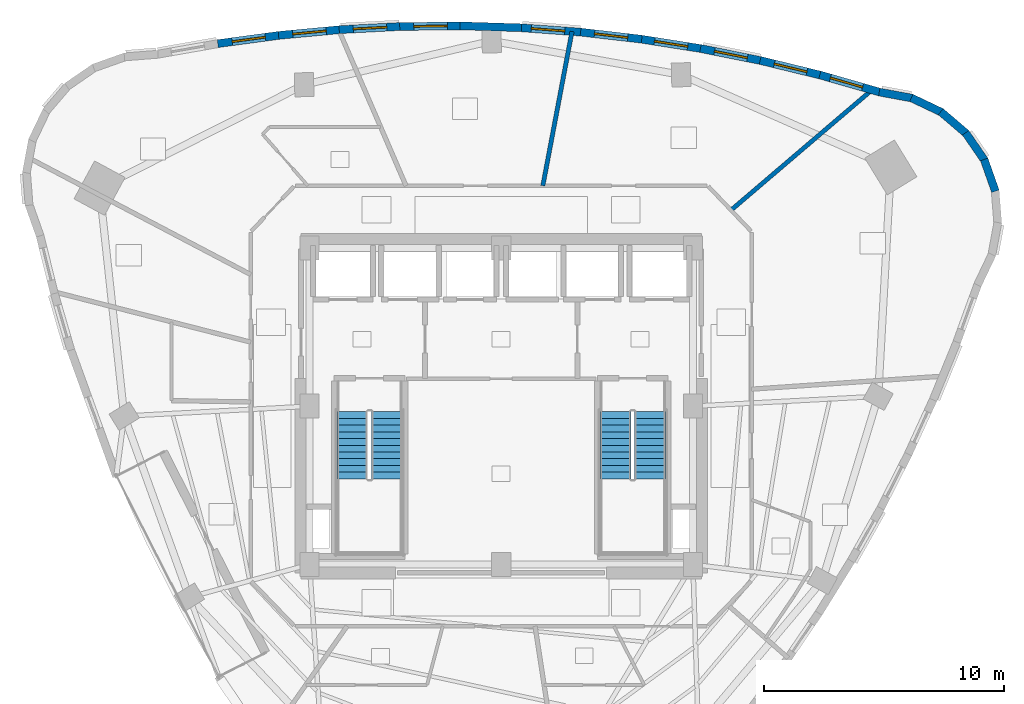
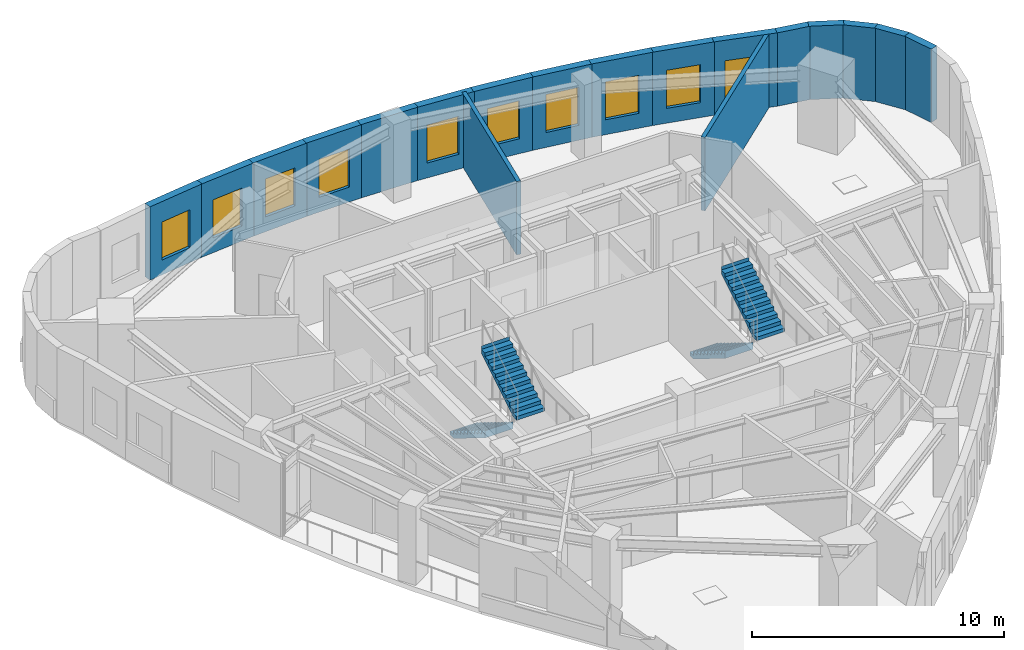
# One storey, part 9 of 12: 18 walls, 10 windows, 4 stair flights, 10 openings, 2 elements without a shape of their own.
"""IFC4 building model written with IfcOpenShell, lengths in metres."""

from ifc_helpers import new_model, si_unit, direction, frame, frame_2d, origin, place, context, subcontext, project, spatial, polyline, rectangle, outline, extrude, material, layer, layer_set, type_object, element, fill, aggregate, save


model = new_model("IFC4")

# Units and contexts
model_context = context("Model", 3, precision=1e-05, world=origin(), true_north=direction((0.0, 1.0)))
body_context = subcontext(model_context, "Body", "Model", "MODEL_VIEW")
ifc_project = project(units=[si_unit("LENGTHUNIT", "METRE"), si_unit("AREAUNIT", "SQUARE_METRE"), si_unit("VOLUMEUNIT", "CUBIC_METRE"), si_unit("PLANEANGLEUNIT", "RADIAN"), si_unit("MASSUNIT", "GRAM", prefix="KILO")], contexts=[model_context])

# Site, building, storey
site_placement = place(None, origin())
site = spatial("IfcSite", under=ifc_project, at=site_placement, CompositionType="ELEMENT")
building_placement = place(site_placement, origin())
building = spatial("IfcBuilding", under=site, at=building_placement, Name="Ndelora Gate Hotel", CompositionType="ELEMENT")
storey_placement = place(building_placement, frame((0.0, 0.0, 201.75)))
storey = spatial("IfcBuildingStorey", under=building, at=storey_placement, Name="L50", CompositionType="ELEMENT", Elevation=201.75)

# Walls
ifc_material_1 = material(Name="Acoustic Double-Stud Gypsum Assembly", Category="gypsum")
ifc_layer_1 = layer(ifc_material_1, 0.179931640625)
ifc_layer_set_1 = layer_set([ifc_layer_1], Name="Acoustic Double-Stud Gypsum Assembly")
wall_type_1 = type_object("IfcWallType", Name="WL-ACOUST-180", PredefinedType="PARTITIONING", material=ifc_layer_set_1)
wall_1_placement = place(storey_placement, frame((9.591064453125, 8.18115234375, 0.0), z_axis=(0.0, 0.0, 1.0), x_axis=(0.760812400489, 0.648971872474, 0.0)))
element("IfcWall", 1, at=wall_1_placement, inside=storey, type_object=wall_type_1, Name="L50 Interior Wall IW-3", PredefinedType="PARTITIONING", context=body_context, shape_type="SweptSolid", body=[
    extrude(rectangle(XDim=7.73193359375, YDim=0.179931640625, at=frame_2d((3.865966796875, 0.0))), origin(), (0.0, 0.0, 1.0), 3.550048828125),
])
wall_2_placement = place(storey_placement, frame((1.73876953125, 9.199951171875, 0.0), z_axis=(0.0, 0.0, 1.0), x_axis=(0.185690346743, 0.98260831216, 0.0)))
element("IfcWall", 2, at=wall_2_placement, inside=storey, type_object=wall_type_1, Name="L50 Interior Wall IW-3", PredefinedType="PARTITIONING", context=body_context, shape_type="SweptSolid", body=[
    extrude(rectangle(XDim=6.55029296875, YDim=0.179931640625, at=frame_2d((3.275146484375, 0.0))), origin(), (0.0, 0.0, 1.0), 3.550048828125),
])
ifc_material_2 = material(Name="Clay Brick Masonry", Category="masonry")
ifc_layer_2 = layer(ifc_material_2, 0.330078125)
ifc_layer_set_2 = layer_set([ifc_layer_2], Name="Clay Brick Masonry")
wall_type_2 = type_object("IfcWallType", Name="WL-BRICK-330", PredefinedType="SOLIDWALL", material=ifc_layer_set_2)
wall_3_placement = place(storey_placement, frame((20.153564453125, 10.296630859375, 0.0), z_axis=(0.0, 0.0, 1.0), x_axis=(0.333709077945, -0.942676111555, 0.0)))
element("IfcWall", 3, at=wall_3_placement, inside=storey, type_object=wall_type_2, Name="L50 Tower Brick Pier-and-Spandrel Wall TWR-42", PredefinedType="SOLIDWALL", context=body_context, shape_type="SweptSolid", body=[
    extrude(rectangle(XDim=1.40771484375, YDim=0.330078125, at=frame_2d((0.703857421875, 0.0))), origin(), (0.0, 0.0, 1.0), 3.550048828125),
])
for number, where, z_axis, x_axis, name in (
    (4, (19.37890625, 11.412353515625, 0.0), (0.0, 0.0, 1.0), (0.566374209812, -0.824148199331, 0.0), "L50 Tower Brick Pier-and-Spandrel Wall TWR-43"),
    (5, (18.341796875, 12.28955078125, 0.0), (0.0, 0.0, 1.0), (0.760430782952, -0.64941898982, 0.0), "L50 Tower Brick Pier-and-Spandrel Wall TWR-44"),
    (6, (17.113037109375, 12.86865234375, 0.0), (0.0, 0.0, 1.0), (0.902565310806, -0.430552969714, 0.0), "L50 Tower Brick Pier-and-Spandrel Wall TWR-45"),
):
    element("IfcWall", number, at=place(storey_placement, frame(where, z_axis=z_axis, x_axis=x_axis)), inside=storey, type_object=wall_type_2, Name=name, PredefinedType="SOLIDWALL", context=body_context, shape_type="SweptSolid", body=[
        extrude(rectangle(XDim=1.407470703125, YDim=0.330078125, at=frame_2d((0.70361328125, 0.0))), origin(), (0.0, 0.0, 1.0), 3.550048828125),
    ])
wall_4_placement = place(storey_placement, frame((15.7763671875, 13.109619140625, 0.0), z_axis=(0.0, 0.0, 1.0), x_axis=(0.983270499209, -0.182151380411, 0.0)))
element("IfcWall", 7, at=wall_4_placement, inside=storey, type_object=wall_type_2, Name="L50 Tower Brick Pier-and-Spandrel Wall TWR-46", PredefinedType="SOLIDWALL", context=body_context, shape_type="SweptSolid", body=[
    extrude(rectangle(XDim=1.4072265625, YDim=0.330078125, at=frame_2d((0.70361328125, 0.0))), origin(), (0.0, 0.0, 1.0), 3.550048828125),
])

# Wall, opening, window
wall_5_placement = place(storey_placement, frame((13.295166015625, 13.823486328125, 0.0), z_axis=(0.0, 0.0, 1.0), x_axis=(0.961267980462, -0.275615438135, 0.0)))
wall_5 = element("IfcWall", 8, at=wall_5_placement, inside=storey, type_object=wall_type_2, Name="L50 Tower Brick Pier-and-Spandrel Wall TWR-47", PredefinedType="SOLIDWALL", context=body_context, shape_type="SweptSolid", body=[
    extrude(rectangle(XDim=2.6318359375, YDim=0.330078125, at=frame_2d((1.31591796875, 0.0))), origin(), (0.0, 0.0, 1.0), 3.550048828125),
])
opening_1_placement = place(wall_5_placement, frame((0.4599609375, 0.0, 0.719970703125)))
opening_1 = element("IfcOpeningElement", 9, at=opening_1_placement, cuts=wall_5, Name="Opening W02", PredefinedType="OPENING", context=body_context, shape_type="SweptSolid", body=[
    extrude(rectangle(XDim=1.39990234375, YDim=1.840087890625, at=frame_2d((0.699951171875, 0.919921875))), frame((0.0, 0.175048828125, 0.0), z_axis=(0.0, -1.0, 0.0), x_axis=(1.0, 0.0, 0.0)), (0.0, 0.0, 1.0), 0.35009765625),
])
ifc_material_3 = material(Name="Insulated Low-E Double Glazing in Bronze Aluminium Frame", Category="aluminium")
window_type = type_object("IfcWindowType", Name="WN-DEEP-1400", PartitioningType="SINGLE_PANEL", PredefinedType="WINDOW", material=ifc_material_3)
window_1_placement = place(opening_1_placement, origin())
window_1 = element("IfcWindow", 10, at=window_1_placement, inside=storey, type_object=window_type, Name="L50 Deep-Set Brick-Pier Window W02", OverallHeight=1.840087890625, OverallWidth=1.39990234375, PartitioningType="SINGLE_PANEL", PredefinedType="WINDOW", context=body_context, shape_type="SweptSolid", body=[
    extrude(rectangle(XDim=1.39990234375, YDim=1.840087890625, at=frame_2d((0.699951171875, 0.919921875))), frame((0.0, 0.030029296875, 0.0), z_axis=(0.0, -1.0, 0.0), x_axis=(1.0, 0.0, 0.0)), (0.0, 0.0, 1.0), 0.06005859375),
])
fill(opening_1, window_1)

wall_6_placement = place(storey_placement, frame((10.8076171875, 14.428466796875, 0.0), z_axis=(0.0, 0.0, 1.0), x_axis=(0.971593821021, -0.236654699835, 0.0)))
wall_6 = element("IfcWall", 11, at=wall_6_placement, inside=storey, type_object=wall_type_2, Name="L50 Tower Brick Pier-and-Spandrel Wall TWR-48", PredefinedType="SOLIDWALL", context=body_context, shape_type="SweptSolid", body=[
    extrude(rectangle(XDim=2.610107421875, YDim=0.330078125, at=frame_2d((1.30517578125, 0.0))), origin(), (0.0, 0.0, 1.0), 3.550048828125),
])
opening_2_placement = place(wall_6_placement, frame((0.60498046875, 0.0, 0.719970703125)))
opening_2 = element("IfcOpeningElement", 12, at=opening_2_placement, cuts=wall_6, Name="Opening W02", PredefinedType="OPENING", context=body_context, shape_type="SweptSolid", body=[
    extrude(rectangle(XDim=1.39990234375, YDim=1.840087890625, at=frame_2d((0.699951171875, 0.919921875))), frame((0.0, 0.175048828125, 0.0), z_axis=(0.0, -1.0, 0.0), x_axis=(1.0, 0.0, 0.0)), (0.0, 0.0, 1.0), 0.35009765625),
])
window_2_placement = place(opening_2_placement, origin())
window_2 = element("IfcWindow", 13, at=window_2_placement, inside=storey, type_object=window_type, Name="L50 Deep-Set Brick-Pier Window W02", OverallHeight=1.840087890625, OverallWidth=1.39990234375, PartitioningType="SINGLE_PANEL", PredefinedType="WINDOW", context=body_context, shape_type="SweptSolid", body=[
    extrude(rectangle(XDim=1.39990234375, YDim=1.840087890625, at=frame_2d((0.699951171875, 0.919921875))), frame((0.0, 0.030029296875, 0.0), z_axis=(0.0, -1.0, 0.0), x_axis=(1.0, 0.0, 0.0)), (0.0, 0.0, 1.0), 0.06005859375),
])
fill(opening_2, window_2)

wall_7_placement = place(storey_placement, frame((8.314697265625, 14.927978515625, 0.0), z_axis=(0.0, 0.0, 1.0), x_axis=(0.980439161236, -0.196822384688, 0.0)))
wall_7 = element("IfcWall", 14, at=wall_7_placement, inside=storey, type_object=wall_type_2, Name="L50 Tower Brick Pier-and-Spandrel Wall TWR-49", PredefinedType="SOLIDWALL", context=body_context, shape_type="SweptSolid", body=[
    extrude(rectangle(XDim=2.592529296875, YDim=0.330078125, at=frame_2d((1.29638671875, 0.0))), origin(), (0.0, 0.0, 1.0), 3.550048828125),
])
opening_3_placement = place(wall_7_placement, frame((0.59619140625, 0.0, 0.719970703125)))
opening_3 = element("IfcOpeningElement", 15, at=opening_3_placement, cuts=wall_7, Name="Opening W02", PredefinedType="OPENING", context=body_context, shape_type="SweptSolid", body=[
    extrude(rectangle(XDim=1.39990234375, YDim=1.840087890625, at=frame_2d((0.699951171875, 0.919921875))), frame((0.0, 0.175048828125, 0.0), z_axis=(0.0, -1.0, 0.0), x_axis=(1.0, 0.0, 0.0)), (0.0, 0.0, 1.0), 0.35009765625),
])
window_3_placement = place(opening_3_placement, origin())
window_3 = element("IfcWindow", 16, at=window_3_placement, inside=storey, type_object=window_type, Name="L50 Deep-Set Brick-Pier Window W02", OverallHeight=1.840087890625, OverallWidth=1.39990234375, PartitioningType="SINGLE_PANEL", PredefinedType="WINDOW", context=body_context, shape_type="SweptSolid", body=[
    extrude(rectangle(XDim=1.39990234375, YDim=1.840087890625, at=frame_2d((0.699951171875, 0.919921875))), frame((0.0, 0.030029296875, 0.0), z_axis=(0.0, -1.0, 0.0), x_axis=(1.0, 0.0, 0.0)), (0.0, 0.0, 1.0), 0.06005859375),
])
fill(opening_3, window_3)

wall_8_placement = place(storey_placement, frame((5.816162109375, 15.322265625, 0.0), z_axis=(0.0, 0.0, 1.0), x_axis=(0.987713798628, -0.156273644613, 0.0)))
wall_8 = element("IfcWall", 17, at=wall_8_placement, inside=storey, type_object=wall_type_2, Name="L50 Tower Brick Pier-and-Spandrel Wall TWR-50", PredefinedType="SOLIDWALL", context=body_context, shape_type="SweptSolid", body=[
    extrude(rectangle(XDim=2.579345703125, YDim=0.330078125, at=frame_2d((1.28955078125, 0.0))), origin(), (0.0, 0.0, 1.0), 3.550048828125),
])
opening_4_placement = place(wall_8_placement, frame((0.589599609375, 0.0, 0.719970703125)))
opening_4 = element("IfcOpeningElement", 18, at=opening_4_placement, cuts=wall_8, Name="Opening W02", PredefinedType="OPENING", context=body_context, shape_type="SweptSolid", body=[
    extrude(rectangle(XDim=1.39990234375, YDim=1.840087890625, at=frame_2d((0.699951171875, 0.919921875))), frame((0.0, 0.175048828125, 0.0), z_axis=(0.0, -1.0, 0.0), x_axis=(1.0, 0.0, 0.0)), (0.0, 0.0, 1.0), 0.35009765625),
])
window_4_placement = place(opening_4_placement, origin())
window_4 = element("IfcWindow", 19, at=window_4_placement, inside=storey, type_object=window_type, Name="L50 Deep-Set Brick-Pier Window W02", OverallHeight=1.840087890625, OverallWidth=1.39990234375, PartitioningType="SINGLE_PANEL", PredefinedType="WINDOW", context=body_context, shape_type="SweptSolid", body=[
    extrude(rectangle(XDim=1.39990234375, YDim=1.840087890625, at=frame_2d((0.699951171875, 0.919921875))), frame((0.0, 0.030029296875, 0.0), z_axis=(0.0, -1.0, 0.0), x_axis=(1.0, 0.0, 0.0)), (0.0, 0.0, 1.0), 0.06005859375),
])
fill(opening_4, window_4)

wall_9_placement = place(storey_placement, frame((3.312255859375, 15.611083984375, 0.0), z_axis=(0.0, 0.0, 1.0), x_axis=(0.993362262195, -0.115027892476, 0.0)))
wall_9 = element("IfcWall", 20, at=wall_9_placement, inside=storey, type_object=wall_type_2, Name="L50 Tower Brick Pier-and-Spandrel Wall TWR-51", PredefinedType="SOLIDWALL", context=body_context, shape_type="SweptSolid", body=[
    extrude(rectangle(XDim=2.5703125, YDim=0.330078125, at=frame_2d((1.28515625, 0.0))), origin(), (0.0, 0.0, 1.0), 3.550048828125),
])
opening_5_placement = place(wall_9_placement, frame((0.585205078125, 0.0, 0.719970703125)))
opening_5 = element("IfcOpeningElement", 21, at=opening_5_placement, cuts=wall_9, Name="Opening W02", PredefinedType="OPENING", context=body_context, shape_type="SweptSolid", body=[
    extrude(rectangle(XDim=1.39990234375, YDim=1.840087890625, at=frame_2d((0.699951171875, 0.919921875))), frame((0.0, 0.175048828125, 0.0), z_axis=(0.0, -1.0, 0.0), x_axis=(1.0, 0.0, 0.0)), (0.0, 0.0, 1.0), 0.35009765625),
])
window_5_placement = place(opening_5_placement, origin())
window_5 = element("IfcWindow", 22, at=window_5_placement, inside=storey, type_object=window_type, Name="L50 Deep-Set Brick-Pier Window W02", OverallHeight=1.840087890625, OverallWidth=1.39990234375, PartitioningType="SINGLE_PANEL", PredefinedType="WINDOW", context=body_context, shape_type="SweptSolid", body=[
    extrude(rectangle(XDim=1.39990234375, YDim=1.840087890625, at=frame_2d((0.699951171875, 0.919921875))), frame((0.0, 0.030029296875, 0.0), z_axis=(0.0, -1.0, 0.0), x_axis=(1.0, 0.0, 0.0)), (0.0, 0.0, 1.0), 0.06005859375),
])
fill(opening_5, window_5)

wall_10_placement = place(storey_placement, frame((0.802734375, 15.794189453125, 0.0), z_axis=(0.0, 0.0, 1.0), x_axis=(0.9973127393, -0.073261859308, 0.0)))
wall_10 = element("IfcWall", 23, at=wall_10_placement, inside=storey, type_object=wall_type_2, Name="L50 Tower Brick Pier-and-Spandrel Wall TWR-52", PredefinedType="SOLIDWALL", context=body_context, shape_type="SweptSolid", body=[
    extrude(rectangle(XDim=2.56591796875, YDim=0.330078125, at=frame_2d((1.282958984375, 0.0))), origin(), (0.0, 0.0, 1.0), 3.550048828125),
])
opening_6_placement = place(wall_10_placement, frame((0.4599609375, 0.0, 0.719970703125)))
opening_6 = element("IfcOpeningElement", 24, at=opening_6_placement, cuts=wall_10, Name="Opening W02", PredefinedType="OPENING", context=body_context, shape_type="SweptSolid", body=[
    extrude(rectangle(XDim=1.39990234375, YDim=1.840087890625, at=frame_2d((0.699951171875, 0.919921875))), frame((0.0, 0.175048828125, 0.0), z_axis=(0.0, -1.0, 0.0), x_axis=(1.0, 0.0, 0.0)), (0.0, 0.0, 1.0), 0.35009765625),
])
window_6_placement = place(opening_6_placement, origin())
window_6 = element("IfcWindow", 25, at=window_6_placement, inside=storey, type_object=window_type, Name="L50 Deep-Set Brick-Pier Window W02", OverallHeight=1.840087890625, OverallWidth=1.39990234375, PartitioningType="SINGLE_PANEL", PredefinedType="WINDOW", context=body_context, shape_type="SweptSolid", body=[
    extrude(rectangle(XDim=1.39990234375, YDim=1.840087890625, at=frame_2d((0.699951171875, 0.919921875))), frame((0.0, 0.030029296875, 0.0), z_axis=(0.0, -1.0, 0.0), x_axis=(1.0, 0.0, 0.0)), (0.0, 0.0, 1.0), 0.06005859375),
])
fill(opening_6, window_6)

# Wall
wall_11_placement = place(storey_placement, frame((-1.712158203125, 15.872314453125, 0.0), z_axis=(0.0, 0.0, 1.0), x_axis=(0.999506957349, -0.031398124315, 0.0)))
element("IfcWall", 26, at=wall_11_placement, inside=storey, type_object=wall_type_2, Name="L50 Tower Brick Pier-and-Spandrel Wall TWR-53", PredefinedType="SOLIDWALL", context=body_context, shape_type="SweptSolid", body=[
    extrude(rectangle(XDim=2.56591796875, YDim=0.330078125, at=frame_2d((1.282958984375, 0.0))), origin(), (0.0, 0.0, 1.0), 3.550048828125),
])

# Wall, opening, window
wall_12_placement = place(storey_placement, frame((-4.232666015625, 15.8447265625, 0.0), z_axis=(0.0, 0.0, 1.0), x_axis=(0.999945431053, 0.010446765829, 0.0)))
wall_12 = element("IfcWall", 27, at=wall_12_placement, inside=storey, type_object=wall_type_2, Name="L50 Tower Brick Pier-and-Spandrel Wall TWR-54", PredefinedType="SOLIDWALL", context=body_context, shape_type="SweptSolid", body=[
    extrude(rectangle(XDim=2.57080078125, YDim=0.330078125, at=frame_2d((1.285400390625, 0.0))), origin(), (0.0, 0.0, 1.0), 3.550048828125),
])
opening_7_placement = place(wall_12_placement, frame((0.585205078125, 0.0, 0.719970703125)))
opening_7 = element("IfcOpeningElement", 28, at=opening_7_placement, cuts=wall_12, Name="Opening W02", PredefinedType="OPENING", context=body_context, shape_type="SweptSolid", body=[
    extrude(rectangle(XDim=1.39990234375, YDim=1.840087890625, at=frame_2d((0.699951171875, 0.919921875))), frame((0.0, 0.175048828125, 0.0), z_axis=(0.0, -1.0, 0.0), x_axis=(1.0, 0.0, 0.0)), (0.0, 0.0, 1.0), 0.35009765625),
])
window_7_placement = place(opening_7_placement, origin())
window_7 = element("IfcWindow", 29, at=window_7_placement, inside=storey, type_object=window_type, Name="L50 Deep-Set Brick-Pier Window W02", OverallHeight=1.840087890625, OverallWidth=1.39990234375, PartitioningType="SINGLE_PANEL", PredefinedType="WINDOW", context=body_context, shape_type="SweptSolid", body=[
    extrude(rectangle(XDim=1.39990234375, YDim=1.840087890625, at=frame_2d((0.699951171875, 0.919921875))), frame((0.0, 0.030029296875, 0.0), z_axis=(0.0, -1.0, 0.0), x_axis=(1.0, 0.0, 0.0)), (0.0, 0.0, 1.0), 0.06005859375),
])
fill(opening_7, window_7)

wall_13_placement = place(storey_placement, frame((-6.758544921875, 15.7119140625, 0.0), z_axis=(0.0, 0.0, 1.0), x_axis=(0.998644110944, 0.052057080942, 0.0)))
wall_13 = element("IfcWall", 30, at=wall_13_placement, inside=storey, type_object=wall_type_2, Name="L50 Tower Brick Pier-and-Spandrel Wall TWR-55", PredefinedType="SOLIDWALL", context=body_context, shape_type="SweptSolid", body=[
    extrude(rectangle(XDim=2.579345703125, YDim=0.330078125, at=frame_2d((1.28955078125, 0.0))), origin(), (0.0, 0.0, 1.0), 3.550048828125),
])
opening_8_placement = place(wall_13_placement, frame((0.589599609375, 0.0, 0.719970703125)))
opening_8 = element("IfcOpeningElement", 31, at=opening_8_placement, cuts=wall_13, Name="Opening W02", PredefinedType="OPENING", context=body_context, shape_type="SweptSolid", body=[
    extrude(rectangle(XDim=1.39990234375, YDim=1.840087890625, at=frame_2d((0.699951171875, 0.919921875))), frame((0.0, 0.175048828125, 0.0), z_axis=(0.0, -1.0, 0.0), x_axis=(1.0, 0.0, 0.0)), (0.0, 0.0, 1.0), 0.35009765625),
])
window_8_placement = place(opening_8_placement, origin())
window_8 = element("IfcWindow", 32, at=window_8_placement, inside=storey, type_object=window_type, Name="L50 Deep-Set Brick-Pier Window W02", OverallHeight=1.840087890625, OverallWidth=1.39990234375, PartitioningType="SINGLE_PANEL", PredefinedType="WINDOW", context=body_context, shape_type="SweptSolid", body=[
    extrude(rectangle(XDim=1.39990234375, YDim=1.840087890625, at=frame_2d((0.699951171875, 0.919921875))), frame((0.0, 0.030029296875, 0.0), z_axis=(0.0, -1.0, 0.0), x_axis=(1.0, 0.0, 0.0)), (0.0, 0.0, 1.0), 0.06005859375),
])
fill(opening_8, window_8)

wall_14_placement = place(storey_placement, frame((-9.289794921875, 15.473388671875, 0.0), z_axis=(0.0, 0.0, 1.0), x_axis=(0.9956361402, 0.093320288938, 0.0)))
wall_14 = element("IfcWall", 33, at=wall_14_placement, inside=storey, type_object=wall_type_2, Name="L50 Tower Brick Pier-and-Spandrel Wall TWR-56", PredefinedType="SOLIDWALL", context=body_context, shape_type="SweptSolid", body=[
    extrude(rectangle(XDim=2.592529296875, YDim=0.330078125, at=frame_2d((1.29638671875, 0.0))), origin(), (0.0, 0.0, 1.0), 3.550048828125),
])
opening_9_placement = place(wall_14_placement, frame((0.59619140625, 0.0, 0.719970703125)))
opening_9 = element("IfcOpeningElement", 34, at=opening_9_placement, cuts=wall_14, Name="Opening W02", PredefinedType="OPENING", context=body_context, shape_type="SweptSolid", body=[
    extrude(rectangle(XDim=1.39990234375, YDim=1.840087890625, at=frame_2d((0.699951171875, 0.919921875))), frame((0.0, 0.175048828125, 0.0), z_axis=(0.0, -1.0, 0.0), x_axis=(1.0, 0.0, 0.0)), (0.0, 0.0, 1.0), 0.35009765625),
])
window_9_placement = place(opening_9_placement, origin())
window_9 = element("IfcWindow", 35, at=window_9_placement, inside=storey, type_object=window_type, Name="L50 Deep-Set Brick-Pier Window W02", OverallHeight=1.840087890625, OverallWidth=1.39990234375, PartitioningType="SINGLE_PANEL", PredefinedType="WINDOW", context=body_context, shape_type="SweptSolid", body=[
    extrude(rectangle(XDim=1.39990234375, YDim=1.840087890625, at=frame_2d((0.699951171875, 0.919921875))), frame((0.0, 0.030029296875, 0.0), z_axis=(0.0, -1.0, 0.0), x_axis=(1.0, 0.0, 0.0)), (0.0, 0.0, 1.0), 0.06005859375),
])
fill(opening_9, window_9)

wall_15_placement = place(storey_placement, frame((-11.82666015625, 15.1298828125, 0.0), z_axis=(0.0, 0.0, 1.0), x_axis=(0.991012550784, 0.133768920863, 0.0)))
wall_15 = element("IfcWall", 36, at=wall_15_placement, inside=storey, type_object=wall_type_2, Name="L50 Tower Brick Pier-and-Spandrel Wall TWR-57", PredefinedType="SOLIDWALL", context=body_context, shape_type="SweptSolid", body=[
    extrude(rectangle(XDim=2.60986328125, YDim=0.330078125, at=frame_2d((1.304931640625, 0.0))), origin(), (0.0, 0.0, 1.0), 3.550048828125),
])
opening_10_placement = place(wall_15_placement, frame((0.60498046875, 0.0, 0.719970703125)))
opening_10 = element("IfcOpeningElement", 37, at=opening_10_placement, cuts=wall_15, Name="Opening W02", PredefinedType="OPENING", context=body_context, shape_type="SweptSolid", body=[
    extrude(rectangle(XDim=1.39990234375, YDim=1.840087890625, at=frame_2d((0.699951171875, 0.919921875))), frame((0.0, 0.175048828125, 0.0), z_axis=(0.0, -1.0, 0.0), x_axis=(1.0, 0.0, 0.0)), (0.0, 0.0, 1.0), 0.35009765625),
])
window_10_placement = place(opening_10_placement, origin())
window_10 = element("IfcWindow", 38, at=window_10_placement, inside=storey, type_object=window_type, Name="L50 Deep-Set Brick-Pier Window W02", OverallHeight=1.840087890625, OverallWidth=1.39990234375, PartitioningType="SINGLE_PANEL", PredefinedType="WINDOW", context=body_context, shape_type="SweptSolid", body=[
    extrude(rectangle(XDim=1.39990234375, YDim=1.840087890625, at=frame_2d((0.699951171875, 0.919921875))), frame((0.0, 0.030029296875, 0.0), z_axis=(0.0, -1.0, 0.0), x_axis=(1.0, 0.0, 0.0)), (0.0, 0.0, 1.0), 0.06005859375),
])
fill(opening_10, window_10)

# Stair, stair flights
ifc_material_4 = material(Name="Precast concrete C40/50", Category="concrete")
stair_type = type_object("IfcStairType", Name="STR-DOG-CORE", PredefinedType="HALF_TURN_STAIR", material=ifc_material_4)
stair_1_placement = place(storey_placement, origin())
stair_1 = element("IfcStair", 39, at=stair_1_placement, inside=storey, type_object=stair_type, Name="L50 Protected Core Exit Stair ST4", PredefinedType="HALF_TURN_STAIR")
stair_flight_type = type_object("IfcStairFlightType", Name="STF-PRECAST", PredefinedType="STRAIGHT", material=ifc_material_4)
stair_flight_1_placement = place(storey_placement, frame((-6.2099609375, -0.22998046875, 0.0), z_axis=(0.0, 0.0, 1.0), x_axis=(0.0, -1.0, 0.0)))
stair_flight_1 = element("IfcStairFlight", 40, at=stair_flight_1_placement, type_object=stair_flight_type, Name="ST4 flight 1", NumberOfRisers=11, NumberOfTreads=10, PredefinedType="STRAIGHT", RiserHeight=0.172727273, TreadLength=0.28, context=body_context, shape_type="SweptSolid", body=[
    extrude(outline(polyline([(-0.00048828125, 0.0), (-0.00048828125, 0.172607421875), (0.0, 0.172607421875), (0.280029296875, 0.172607421875), (0.280029296875, 0.345458984375), (0.56005859375, 0.345458984375), (0.56005859375, 0.51806640625), (0.840087890625, 0.51806640625), (0.840087890625, 0.69091796875), (1.1201171875, 0.69091796875), (1.1201171875, 0.863525390625), (1.39990234375, 0.863525390625), (1.39990234375, 1.036376953125), (1.679931640625, 1.036376953125), (1.679931640625, 1.208984375), (1.9599609375, 1.208984375), (1.9599609375, 1.3818359375), (2.239990234375, 1.3818359375), (2.239990234375, 1.554443359375), (2.52001953125, 1.554443359375), (2.52001953125, 1.727294921875), (2.800048828125, 1.727294921875), (2.800048828125, 1.89990234375), (2.800537109375, 1.89990234375), (2.800537109375, 1.719970703125), (2.800048828125, 1.551025390625), (0.285400390625, 0.0), (-0.00048828125, 0.0)])), frame((0.0, 0.64013671875, 0.0), z_axis=(0.0, -1.0, 0.0), x_axis=(1.0, 0.0, 0.0)), (0.0, 0.0, 1.0), 1.280029296875),
])
stair_flight_2_placement = place(storey_placement, frame((-4.77001953125, -3.030029296875, 1.89990234375), z_axis=(0.0, 0.0, 1.0), x_axis=(0.0, 1.0, 0.0)))
stair_flight_2 = element("IfcStairFlight", 41, at=stair_flight_2_placement, type_object=stair_flight_type, Name="ST4 flight 2", NumberOfRisers=11, NumberOfTreads=10, PredefinedType="STRAIGHT", RiserHeight=0.172727273, TreadLength=0.28, context=body_context, shape_type="SweptSolid", body=[
    extrude(outline(polyline([(-0.00048828125, 0.0), (-0.00048828125, 0.172607421875), (0.0, 0.172607421875), (0.280029296875, 0.172607421875), (0.280029296875, 0.345458984375), (0.56005859375, 0.345458984375), (0.56005859375, 0.51806640625), (0.840087890625, 0.51806640625), (0.840087890625, 0.69091796875), (1.1201171875, 0.69091796875), (1.1201171875, 0.863525390625), (1.39990234375, 0.863525390625), (1.39990234375, 1.036376953125), (1.679931640625, 1.036376953125), (1.679931640625, 1.208984375), (1.9599609375, 1.208984375), (1.9599609375, 1.3818359375), (2.239990234375, 1.3818359375), (2.239990234375, 1.554443359375), (2.52001953125, 1.554443359375), (2.52001953125, 1.727294921875), (2.800048828125, 1.727294921875), (2.800048828125, 1.89990234375), (2.800537109375, 1.89990234375), (2.800537109375, 1.719970703125), (2.800048828125, 1.551025390625), (0.285400390625, 0.0), (-0.00048828125, 0.0)])), frame((0.0, 0.64013671875, 0.0), z_axis=(0.0, -1.0, 0.0), x_axis=(1.0, 0.0, 0.0)), (0.0, 0.0, 1.0), 1.280029296875),
])
aggregate(stair_1, [stair_flight_1, stair_flight_2])

stair_2_placement = place(storey_placement, origin())
stair_2 = element("IfcStair", 42, at=stair_2_placement, inside=storey, type_object=stair_type, Name="L50 Protected Core Exit Stair ST5", PredefinedType="HALF_TURN_STAIR")
stair_flight_3_placement = place(storey_placement, frame((4.77001953125, -0.22998046875, 0.0), z_axis=(0.0, 0.0, 1.0), x_axis=(0.0, -1.0, 0.0)))
stair_flight_3 = element("IfcStairFlight", 43, at=stair_flight_3_placement, type_object=stair_flight_type, Name="ST5 flight 1", NumberOfRisers=11, NumberOfTreads=10, PredefinedType="STRAIGHT", RiserHeight=0.172727273, TreadLength=0.28, context=body_context, shape_type="SweptSolid", body=[
    extrude(outline(polyline([(-0.00048828125, 0.0), (-0.00048828125, 0.172607421875), (0.0, 0.172607421875), (0.280029296875, 0.172607421875), (0.280029296875, 0.345458984375), (0.56005859375, 0.345458984375), (0.56005859375, 0.51806640625), (0.840087890625, 0.51806640625), (0.840087890625, 0.69091796875), (1.1201171875, 0.69091796875), (1.1201171875, 0.863525390625), (1.39990234375, 0.863525390625), (1.39990234375, 1.036376953125), (1.679931640625, 1.036376953125), (1.679931640625, 1.208984375), (1.9599609375, 1.208984375), (1.9599609375, 1.3818359375), (2.239990234375, 1.3818359375), (2.239990234375, 1.554443359375), (2.52001953125, 1.554443359375), (2.52001953125, 1.727294921875), (2.800048828125, 1.727294921875), (2.800048828125, 1.89990234375), (2.800537109375, 1.89990234375), (2.800537109375, 1.719970703125), (2.800048828125, 1.551025390625), (0.285400390625, 0.0), (-0.00048828125, 0.0)])), frame((0.0, 0.64013671875, 0.0), z_axis=(0.0, -1.0, 0.0), x_axis=(1.0, 0.0, 0.0)), (0.0, 0.0, 1.0), 1.280029296875),
])
stair_flight_4_placement = place(storey_placement, frame((6.2099609375, -3.030029296875, 1.89990234375), z_axis=(0.0, 0.0, 1.0), x_axis=(0.0, 1.0, 0.0)))
stair_flight_4 = element("IfcStairFlight", 44, at=stair_flight_4_placement, type_object=stair_flight_type, Name="ST5 flight 2", NumberOfRisers=11, NumberOfTreads=10, PredefinedType="STRAIGHT", RiserHeight=0.172727273, TreadLength=0.28, context=body_context, shape_type="SweptSolid", body=[
    extrude(outline(polyline([(-0.00048828125, 0.0), (-0.00048828125, 0.172607421875), (0.0, 0.172607421875), (0.280029296875, 0.172607421875), (0.280029296875, 0.345458984375), (0.56005859375, 0.345458984375), (0.56005859375, 0.51806640625), (0.840087890625, 0.51806640625), (0.840087890625, 0.69091796875), (1.1201171875, 0.69091796875), (1.1201171875, 0.863525390625), (1.39990234375, 0.863525390625), (1.39990234375, 1.036376953125), (1.679931640625, 1.036376953125), (1.679931640625, 1.208984375), (1.9599609375, 1.208984375), (1.9599609375, 1.3818359375), (2.239990234375, 1.3818359375), (2.239990234375, 1.554443359375), (2.52001953125, 1.554443359375), (2.52001953125, 1.727294921875), (2.800048828125, 1.727294921875), (2.800048828125, 1.89990234375), (2.800537109375, 1.89990234375), (2.800537109375, 1.719970703125), (2.800048828125, 1.551025390625), (0.285400390625, 0.0), (-0.00048828125, 0.0)])), frame((0.0, 0.64013671875, 0.0), z_axis=(0.0, -1.0, 0.0), x_axis=(1.0, 0.0, 0.0)), (0.0, 0.0, 1.0), 1.280029296875),
])
aggregate(stair_2, [stair_flight_3, stair_flight_4])

save(model, "model.ifc")
